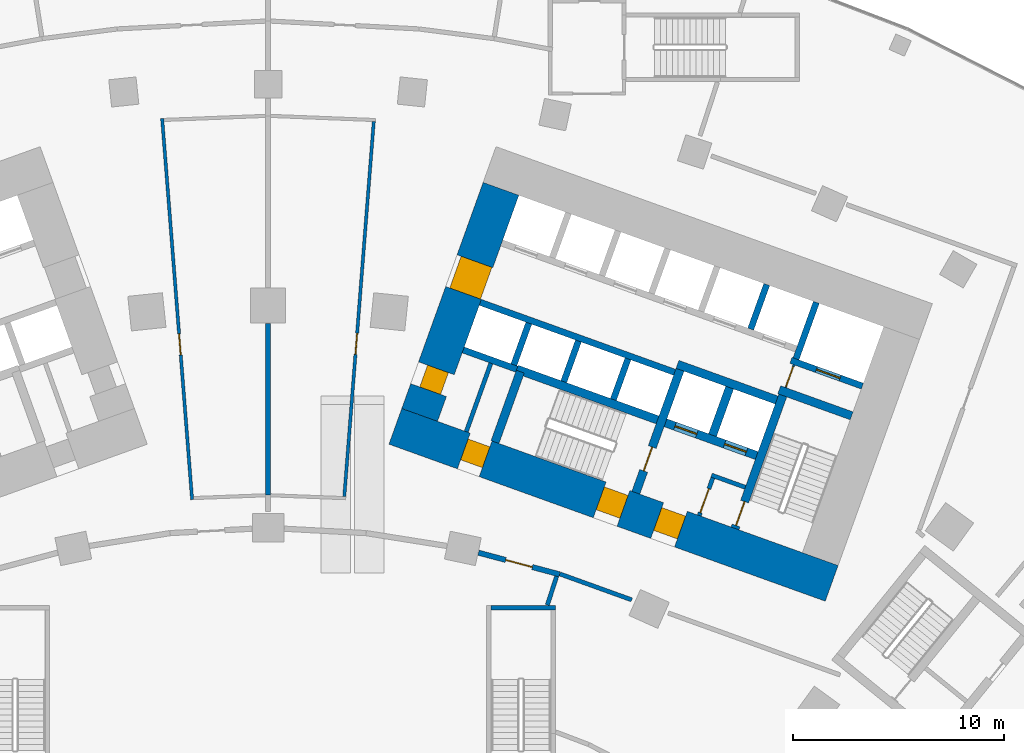
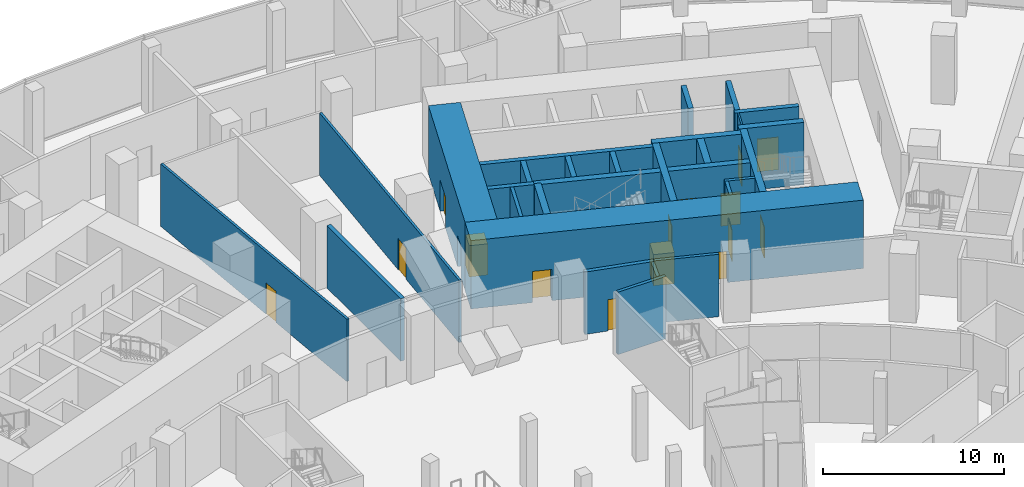
# One storey, part 27 of 40: 28 walls, 15 doors, 15 openings.
"""IFC4 building model written with IfcOpenShell, lengths in metres."""

from ifc_helpers import new_model, si_unit, direction, frame, frame_2d, origin, place, context, subcontext, project, spatial, rectangle, extrude, material, layer, layer_set, type_object, element, fill, save


model = new_model("IFC4")

# Units and contexts
model_context = context("Model", 3, precision=1e-05, world=origin(), true_north=direction((0.0, 1.0)))
body_context = subcontext(model_context, "Body", "Model", "MODEL_VIEW")
ifc_project = project(units=[si_unit("LENGTHUNIT", "METRE"), si_unit("AREAUNIT", "SQUARE_METRE"), si_unit("VOLUMEUNIT", "CUBIC_METRE"), si_unit("PLANEANGLEUNIT", "RADIAN"), si_unit("MASSUNIT", "GRAM", prefix="KILO")], contexts=[model_context])

# Site, building, storey
site_placement = place(None, origin())
site = spatial("IfcSite", under=ifc_project, at=site_placement, CompositionType="ELEMENT")
building_placement = place(site_placement, origin())
building = spatial("IfcBuilding", under=site, at=building_placement, Name="Stone Belt Terrace Tower", CompositionType="ELEMENT")
storey_placement = place(building_placement, frame((0.0, 0.0, 7.0)))
storey = spatial("IfcBuildingStorey", under=building, at=storey_placement, Name="L01", CompositionType="ELEMENT", Elevation=7.0)

# Wall
ifc_material_1 = material(Name="Concrete B30", Category="concrete")
ifc_layer_1 = layer(ifc_material_1, 0.25)
ifc_layer_set_1 = layer_set([ifc_layer_1], Name="Compartment wall 250")
wall_type_1 = type_object("IfcWallType", Name="Compartment wall 250", PredefinedType="SOLIDWALL", material=ifc_layer_set_1)
wall_1_placement = place(storey_placement, frame((0.0, 46.0, 0.0), z_axis=(0.0, 0.0, 1.0), x_axis=(0.0, 1.0, 0.0)))
element("IfcWall", 1, at=wall_1_placement, inside=storey, type_object=wall_type_1, Name="Compartment wall L01 8", PredefinedType="SOLIDWALL", context=body_context, shape_type="SweptSolid", body=[
    extrude(rectangle(XDim=8.155029296875, YDim=0.25, at=frame_2d((4.07763671875, 0.0))), origin(), (0.0, 0.0, 1.0), 4.199951171875),
])

# Wall, opening, door
ifc_material_2 = material(Name="Plasterboard partition")
ifc_layer_2 = layer(ifc_material_2, 0.10009765625)
ifc_layer_set_2 = layer_set([ifc_layer_2], Name="Core partition 100")
wall_type_2 = type_object("IfcWallType", Name="Core partition 100", PredefinedType="PARTITIONING", material=ifc_layer_set_2)
wall_2_placement = place(storey_placement, frame((24.555908203125, 51.10400390625, 0.0), z_axis=(0.0, 0.0, 1.0), x_axis=(0.338621735342, 0.94092258999, 0.0)))
wall_2 = element("IfcWall", 2, at=wall_2_placement, inside=storey, type_object=wall_type_2, Name="Core B wall", PredefinedType="PARTITIONING", context=body_context, shape_type="SweptSolid", body=[
    extrude(rectangle(XDim=1.14990234375, YDim=0.10009765625, at=frame_2d((0.574951171875, 0.0))), origin(), (0.0, 0.0, 1.0), 4.199951171875),
])
opening_1_placement = place(wall_2_placement, frame((0.050048828125, 0.0, 0.0)))
opening_1 = element("IfcOpeningElement", 3, at=opening_1_placement, cuts=wall_2, Name="Opening L01-C10", PredefinedType="OPENING", context=body_context, shape_type="SweptSolid", body=[
    extrude(rectangle(XDim=1.0, YDim=2.10009765625, at=frame_2d((0.5, 1.050048828125))), frame((0.0, 0.06005859375, 0.0), z_axis=(0.0, -1.0, 0.0), x_axis=(1.0, 0.0, 0.0)), (0.0, 0.0, 1.0), 0.1201171875),
])
ifc_material_3 = material(Name="Timber door leaf", Category="wood")
door_type_1 = type_object("IfcDoorType", Name="Core room door 1000", OperationType="SINGLE_SWING_LEFT", PredefinedType="DOOR", material=ifc_material_3)
door_1_placement = place(opening_1_placement, origin())
door_1 = element("IfcDoor", 4, at=door_1_placement, inside=storey, type_object=door_type_1, Name="Service lift lobby door core B", OperationType="SINGLE_SWING_LEFT", OverallHeight=2.10009765625, OverallWidth=1.0, PredefinedType="DOOR", context=body_context, shape_type="SweptSolid", body=[
    extrude(rectangle(XDim=1.0, YDim=2.10009765625, at=frame_2d((0.5, 1.050048828125))), frame((0.0, 0.02490234375, 0.0), z_axis=(0.0, -1.0, 0.0), x_axis=(1.0, 0.0, 0.0)), (0.0, 0.0, 1.0), 0.050048828125),
])
fill(opening_1, door_1)

# Wall, openings, doors
ifc_material_4 = material(Name="Concrete B80", Category="concrete")
ifc_layer_3 = layer(ifc_material_4, 1.800048828125)
ifc_layer_set_3 = layer_set([ifc_layer_3], Name="Core wall 1800 B80")
wall_type_3 = type_object("IfcWallType", Name="Core wall 1800 B80", PredefinedType="SHEAR", material=ifc_layer_set_3)
wall_3_placement = place(storey_placement, frame((6.039306640625, 49.265380859375, 0.0), z_axis=(0.0, 0.0, 1.0), x_axis=(0.940921642213, -0.338624368902, 0.0)))
wall_3 = element("IfcWall", 5, at=wall_3_placement, inside=storey, type_object=wall_type_3, Name="Core B wall concave L01", PredefinedType="SHEAR", context=body_context, shape_type="SweptSolid", body=[
    extrude(rectangle(XDim=22.0, YDim=1.800048828125, at=frame_2d((11.0, 0.0))), origin(), (0.0, 0.0, 1.0), 4.60009765625),
])
opening_2_placement = place(wall_3_placement, frame((13.199951171875, 0.0, 0.0)))
opening_2 = element("IfcOpeningElement", 6, at=opening_2_placement, cuts=wall_3, Name="Opening L01-C14", PredefinedType="OPENING", context=body_context, shape_type="SweptSolid", body=[
    extrude(rectangle(XDim=1.199951171875, YDim=2.10009765625, at=frame_2d((0.60009765625, 1.050048828125))), frame((0.0, 0.909912109375, 0.0), z_axis=(0.0, -1.0, 0.0), x_axis=(1.0, 0.0, 0.0)), (0.0, 0.0, 1.0), 1.820068359375),
])
opening_3_placement = place(wall_3_placement, frame((10.300048828125, 0.0, 0.0)))
opening_3 = element("IfcOpeningElement", 7, at=opening_3_placement, cuts=wall_3, Name="Opening L01-C16", PredefinedType="OPENING", context=body_context, shape_type="SweptSolid", body=[
    extrude(rectangle(XDim=1.199951171875, YDim=2.10009765625, at=frame_2d((0.60009765625, 1.050048828125))), frame((0.0, 0.909912109375, 0.0), z_axis=(0.0, -1.0, 0.0), x_axis=(1.0, 0.0, 0.0)), (0.0, 0.0, 1.0), 1.820068359375),
])
opening_4_placement = place(wall_3_placement, frame((3.449951171875, 0.0, 0.0)))
opening_4 = element("IfcOpeningElement", 8, at=opening_4_placement, cuts=wall_3, Name="Opening L01-C18", PredefinedType="OPENING", context=body_context, shape_type="SweptSolid", body=[
    extrude(rectangle(XDim=1.10009765625, YDim=2.10009765625, at=frame_2d((0.550048828125, 1.050048828125))), frame((0.0, 0.909912109375, 0.0), z_axis=(0.0, -1.0, 0.0), x_axis=(1.0, 0.0, 0.0)), (0.0, 0.0, 1.0), 1.820068359375),
])
door_type_2 = type_object("IfcDoorType", Name="Core room door 1100", OperationType="SINGLE_SWING_LEFT", PredefinedType="DOOR", material=ifc_material_3)
door_2_placement = place(opening_4_placement, origin())
door_2 = element("IfcDoor", 9, at=door_2_placement, inside=storey, type_object=door_type_2, Name="Door to Communications riser room core B", OperationType="SINGLE_SWING_LEFT", OverallHeight=2.10009765625, OverallWidth=1.10009765625, PredefinedType="DOOR", context=body_context, shape_type="SweptSolid", body=[
    extrude(rectangle(XDim=1.10009765625, YDim=2.10009765625, at=frame_2d((0.550048828125, 1.050048828125))), frame((0.0, 0.60498046875, 0.0), z_axis=(0.0, -1.0, 0.0), x_axis=(1.0, 0.0, 0.0)), (0.0, 0.0, 1.0), 1.050048828125),
])
fill(opening_4, door_2)
ifc_material_5 = material(Name="Steel door leaf", Category="steel")
door_type_3 = type_object("IfcDoorType", Name="Fire-fighting lobby door 1200", OperationType="SINGLE_SWING_LEFT", PredefinedType="DOOR", material=ifc_material_5)
door_3_placement = place(opening_2_placement, origin())
door_3 = element("IfcDoor", 10, at=door_3_placement, inside=storey, type_object=door_type_3, Name="Fire-fighting lobby door core B", OperationType="SINGLE_SWING_LEFT", OverallHeight=2.10009765625, OverallWidth=1.199951171875, PredefinedType="DOOR", context=body_context, shape_type="SweptSolid", body=[
    extrude(rectangle(XDim=1.199951171875, YDim=2.10009765625, at=frame_2d((0.60009765625, 1.050048828125))), frame((0.0, 0.655029296875, 0.0), z_axis=(0.0, -1.0, 0.0), x_axis=(1.0, 0.0, 0.0)), (0.0, 0.0, 1.0), 1.14990234375),
])
fill(opening_2, door_3)
door_type_4 = type_object("IfcDoorType", Name="Stair door 1200", OperationType="SINGLE_SWING_LEFT", PredefinedType="DOOR", material=ifc_material_5)
door_4_placement = place(opening_3_placement, origin())
door_4 = element("IfcDoor", 11, at=door_4_placement, inside=storey, type_object=door_type_4, Name="Stair 2 exit door core B", OperationType="SINGLE_SWING_RIGHT", OverallHeight=2.10009765625, OverallWidth=1.199951171875, PredefinedType="DOOR", context=body_context, shape_type="SweptSolid", body=[
    extrude(rectangle(XDim=1.199951171875, YDim=2.10009765625, at=frame_2d((0.60009765625, 1.050048828125))), frame((0.0, 0.655029296875, 0.0), z_axis=(0.0, -1.0, 0.0), x_axis=(1.0, 0.0, 0.0)), (0.0, 0.0, 1.0), 1.14990234375),
])
fill(opening_3, door_4)

wall_4_placement = place(storey_placement, frame((7.19091796875, 49.8076171875, 0.0), z_axis=(0.0, 0.0, 1.0), x_axis=(0.338632255135, 0.940918804033, 0.0)))
wall_4 = element("IfcWall", 12, at=wall_4_placement, inside=storey, type_object=wall_type_3, Name="Core B wall end_a L01", PredefinedType="SHEAR", context=body_context, shape_type="SweptSolid", body=[
    extrude(rectangle(XDim=11.39990234375, YDim=1.800048828125, at=frame_2d((5.699951171875, 0.0))), origin(), (0.0, 0.0, 1.0), 4.60009765625),
])
opening_5_placement = place(wall_4_placement, frame((6.14990234375, 0.0, 0.0)))
opening_5 = element("IfcOpeningElement", 13, at=opening_5_placement, cuts=wall_4, Name="Opening L01-C11", PredefinedType="OPENING", context=body_context, shape_type="SweptSolid", body=[
    extrude(rectangle(XDim=1.60009765625, YDim=2.10009765625, at=frame_2d((0.800048828125, 1.050048828125))), frame((0.0, 0.909912109375, 0.0), z_axis=(0.0, -1.0, 0.0), x_axis=(1.0, 0.0, 0.0)), (0.0, 0.0, 1.0), 1.820068359375),
])
opening_6_placement = place(wall_4_placement, frame((1.25, 0.0, 0.0)))
opening_6 = element("IfcOpeningElement", 14, at=opening_6_placement, cuts=wall_4, Name="Opening L01-C17", PredefinedType="OPENING", context=body_context, shape_type="SweptSolid", body=[
    extrude(rectangle(XDim=1.10009765625, YDim=2.10009765625, at=frame_2d((0.550048828125, 1.050048828125))), frame((0.0, 0.909912109375, 0.0), z_axis=(0.0, -1.0, 0.0), x_axis=(1.0, 0.0, 0.0)), (0.0, 0.0, 1.0), 1.820068359375),
])
door_5_placement = place(opening_6_placement, origin())
door_5 = element("IfcDoor", 15, at=door_5_placement, inside=storey, type_object=door_type_2, Name="Door to Cleaner's store core B", OperationType="SINGLE_SWING_RIGHT", OverallHeight=2.10009765625, OverallWidth=1.10009765625, PredefinedType="DOOR", context=body_context, shape_type="SweptSolid", body=[
    extrude(rectangle(XDim=1.10009765625, YDim=2.10009765625, at=frame_2d((0.550048828125, 1.050048828125))), frame((0.0, 0.44482421875, 0.0), z_axis=(0.0, -1.0, 0.0), x_axis=(1.0, 0.0, 0.0)), (0.0, 0.0, 1.0), 1.050048828125),
])
fill(opening_6, door_5)
ifc_material_6 = material(Name="Glazed aluminium door leaf", Category="aluminium")
door_type_5 = type_object("IfcDoorType", Name="Lift lobby entrance door 1600", OperationType="DOUBLE_DOOR_SINGLE_SWING", PredefinedType="DOOR", material=ifc_material_6)
door_6_placement = place(opening_5_placement, origin())
door_6 = element("IfcDoor", 16, at=door_6_placement, inside=storey, type_object=door_type_5, Name="Lift lobby entrance door core B", OperationType="DOUBLE_DOOR_SINGLE_SWING", OverallHeight=2.10009765625, OverallWidth=1.60009765625, PredefinedType="DOOR", context=body_context, shape_type="SweptSolid", body=[
    extrude(rectangle(XDim=1.60009765625, YDim=2.10009765625, at=frame_2d((0.800048828125, 1.050048828125))), frame((0.0, 0.69482421875, 0.0), z_axis=(0.0, -1.0, 0.0), x_axis=(1.0, 0.0, 0.0)), (0.0, 0.0, 1.0), 1.550048828125),
])
fill(opening_5, door_6)

# Walls
ifc_layer_4 = layer(ifc_material_4, 0.39990234375)
ifc_layer_set_4 = layer_set([ifc_layer_4], Name="Fire-fighting lift shaft wall 400")
wall_type_4 = type_object("IfcWallType", Name="Fire-fighting lift shaft wall 400", PredefinedType="SHEAR", material=ifc_layer_set_4)
wall_5_placement = place(storey_placement, frame((24.130615234375, 50.512939453125, 0.0), z_axis=(0.0, 0.0, 1.0), x_axis=(-0.94091168377, 0.338652038744, 0.0)))
element("IfcWall", 17, at=wall_5_placement, inside=storey, type_object=wall_type_4, Name="Core B wall", PredefinedType="SHEAR", context=body_context, shape_type="SweptSolid", body=[
    extrude(rectangle(XDim=5.000244140625, YDim=0.39990234375, at=frame_2d((2.5, 0.0))), origin(), (0.0, 0.0, 1.0), 4.199951171875),
])
wall_6_placement = place(storey_placement, frame((21.0859375, 48.845458984375, 0.0), z_axis=(0.0, 0.0, 1.0), x_axis=(0.338629416206, 0.940919825745, 0.0)))
element("IfcWall", 18, at=wall_6_placement, inside=storey, type_object=wall_type_4, Name="Core B wall", PredefinedType="SHEAR", context=body_context, shape_type="SweptSolid", body=[
    extrude(rectangle(XDim=2.400146484375, YDim=0.39990234375, at=frame_2d((1.2001953125, 0.0))), origin(), (0.0, 0.0, 1.0), 4.199951171875),
])

# Wall, opening, door
ifc_material_7 = material(Name="Fire-resistant glazing in steel frame", Category="steel")
ifc_layer_5 = layer(ifc_material_7, 0.25)
ifc_layer_set_5 = layer_set([ifc_layer_5], Name="Glazed compartment fire screen 250")
wall_type_5 = type_object("IfcWallType", Name="Glazed compartment fire screen 250", PredefinedType="PARTITIONING", material=ifc_layer_set_5)
wall_7_placement = place(storey_placement, frame((9.9833984375, 43.271240234375, 0.0), z_axis=(0.0, 0.0, 1.0), x_axis=(0.966095249912, -0.258185917697, 0.0)))
wall_7 = element("IfcWall", 19, at=wall_7_placement, inside=storey, type_object=wall_type_5, Name="Compartment fire screen L01 12", PredefinedType="PARTITIONING", context=body_context, shape_type="SweptSolid", body=[
    extrude(rectangle(XDim=3.97802734375, YDim=0.25, at=frame_2d((1.989013671875, 0.0))), origin(), (0.0, 0.0, 1.0), 4.199951171875),
])
opening_7_placement = place(wall_7_placement, frame((1.339111328125, 0.0, 0.0)))
opening_7 = element("IfcOpeningElement", 20, at=opening_7_placement, cuts=wall_7, Name="Opening L01-P35", PredefinedType="OPENING", context=body_context, shape_type="SweptSolid", body=[
    extrude(rectangle(XDim=1.300048828125, YDim=2.10009765625, at=frame_2d((0.64990234375, 1.050048828125))), frame((0.0, 0.135009765625, 0.0), z_axis=(0.0, -1.0, 0.0), x_axis=(1.0, 0.0, 0.0)), (0.0, 0.0, 1.0), 0.27001953125),
])
ifc_material_8 = material(Name="Steel framed fire door leaf", Category="steel")
door_type_6 = type_object("IfcDoorType", Name="Fire door 1300 x 2100 EI 60", OperationType="SINGLE_SWING_LEFT", PredefinedType="DOOR", material=ifc_material_8)
door_7_placement = place(opening_7_placement, origin())
door_7 = element("IfcDoor", 21, at=door_7_placement, inside=storey, type_object=door_type_6, Name="Fire door 1300 x 2100 EI 60", OperationType="SINGLE_SWING_LEFT", OverallHeight=2.10009765625, OverallWidth=1.300048828125, PredefinedType="DOOR", context=body_context, shape_type="SweptSolid", body=[
    extrude(rectangle(XDim=1.300048828125, YDim=2.10009765625, at=frame_2d((0.64990234375, 1.050048828125))), frame((0.0, 0.02490234375, 0.0), z_axis=(0.0, -1.0, 0.0), x_axis=(1.0, 0.0, 0.0)), (0.0, 0.0, 1.0), 0.050048828125),
])
fill(opening_7, door_7)

ifc_layer_6 = layer(ifc_material_4, 0.300048828125)
ifc_layer_set_6 = layer_set([ifc_layer_6], Name="Lift shaft wall 300")
wall_type_6 = type_object("IfcWallType", Name="Lift shaft wall 300", PredefinedType="SHEAR", material=ifc_layer_set_6)
wall_8_placement = place(storey_placement, frame((28.195068359375, 51.17578125, 0.0), z_axis=(0.0, 0.0, 1.0), x_axis=(-0.940901243567, 0.338681044427, 0.0)))
wall_8 = element("IfcWall", 22, at=wall_8_placement, inside=storey, type_object=wall_type_6, Name="Core B wall", PredefinedType="SHEAR", context=body_context, shape_type="SweptSolid", body=[
    extrude(rectangle(XDim=3.599853515625, YDim=0.300048828125, at=frame_2d((1.7998046875, 0.0))), origin(), (0.0, 0.0, 1.0), 4.199951171875),
])
opening_8_placement = place(wall_8_placement, frame((1.1201171875, 0.0, 0.0)))
opening_8 = element("IfcOpeningElement", 23, at=opening_8_placement, cuts=wall_8, Name="Opening L01-LD18", PredefinedType="OPENING", context=body_context, shape_type="SweptSolid", body=[
    extrude(rectangle(XDim=1.199951171875, YDim=2.199951171875, at=frame_2d((0.60009765625, 1.10009765625))), frame((0.0, 0.159912109375, 0.0), z_axis=(0.0, -1.0, 0.0), x_axis=(1.0, 0.0, 0.0)), (0.0, 0.0, 1.0), 0.320068359375),
])
ifc_material_9 = material(Name="Stainless steel door leaf", Category="steel")
door_type_7 = type_object("IfcDoorType", Name="Landing door 1200", OperationType="SLIDING_TO_LEFT", PredefinedType="DOOR", material=ifc_material_9)
door_8_placement = place(opening_8_placement, origin())
door_8 = element("IfcDoor", 24, at=door_8_placement, inside=storey, type_object=door_type_7, Name="Landing door SV1 core B", OperationType="SLIDING_TO_LEFT", OverallHeight=2.199951171875, OverallWidth=1.199951171875, PredefinedType="DOOR", context=body_context, shape_type="SweptSolid", body=[
    extrude(rectangle(XDim=1.199951171875, YDim=2.199951171875, at=frame_2d((0.60009765625, 1.10009765625))), frame((0.0, 0.02490234375, 0.0), z_axis=(0.0, -1.0, 0.0), x_axis=(1.0, 0.0, 0.0)), (0.0, 0.0, 1.0), 0.050048828125),
])
fill(opening_8, door_8)

# Walls
wall_9_placement = place(storey_placement, frame((25.046875, 52.46826171875, 0.0), z_axis=(0.0, 0.0, 1.0), x_axis=(0.338549588058, 0.940948551423, 0.0)))
element("IfcWall", 25, at=wall_9_placement, inside=storey, type_object=wall_type_6, Name="Core B wall", PredefinedType="SHEAR", context=body_context, shape_type="SweptSolid", body=[
    extrude(rectangle(XDim=2.849853515625, YDim=0.300048828125, at=frame_2d((1.4248046875, 0.0))), origin(), (0.0, 0.0, 1.0), 4.199951171875),
])
wall_10_placement = place(storey_placement, frame((22.897705078125, 53.87939453125, 0.0), z_axis=(0.0, 0.0, 1.0), x_axis=(0.338535034312, 0.940953787677, 0.0)))
element("IfcWall", 26, at=wall_10_placement, inside=storey, type_object=wall_type_6, Name="Core B wall", PredefinedType="SHEAR", context=body_context, shape_type="SweptSolid", body=[
    extrude(rectangle(XDim=2.25, YDim=0.300048828125, at=frame_2d((1.125, 0.0))), origin(), (0.0, 0.0, 1.0), 4.199951171875),
])
wall_11_placement = place(storey_placement, frame((19.29052734375, 51.829833984375, 0.0), z_axis=(0.0, 0.0, 1.0), x_axis=(-0.940925833398, 0.338612722803, 0.0)))
element("IfcWall", 27, at=wall_11_placement, inside=storey, type_object=wall_type_6, Name="Core B wall", PredefinedType="SHEAR", context=body_context, shape_type="SweptSolid", body=[
    extrude(rectangle(XDim=9.7998046875, YDim=0.300048828125, at=frame_2d((4.89990234375, 0.0))), origin(), (0.0, 0.0, 1.0), 4.199951171875),
])
for number, where, z_axis, x_axis, name in (
    (28, (16.38134765625, 50.53857421875, 0.0), (0.0, 0.0, 1.0), (0.338681515556, 0.940901073982, 0.0), "Core B wall"),
    (29, (14.029052734375, 51.38525390625, 0.0), (0.0, 0.0, 1.0), (0.338681515556, 0.940901073982, 0.0), "Core B wall"),
):
    element("IfcWall", number, at=place(storey_placement, frame(where, z_axis=z_axis, x_axis=x_axis)), inside=storey, type_object=wall_type_6, Name=name, PredefinedType="SHEAR", context=body_context, shape_type="SweptSolid", body=[
        extrude(rectangle(XDim=2.050048828125, YDim=0.300048828125, at=frame_2d((1.02490234375, 0.0))), origin(), (0.0, 0.0, 1.0), 4.199951171875),
    ])
wall_12_placement = place(storey_placement, frame((11.797119140625, 51.975830078125, 0.0), z_axis=(0.0, 0.0, 1.0), x_axis=(-0.940910465161, 0.33865542451, 0.0)))
element("IfcWall", 30, at=wall_12_placement, inside=storey, type_object=wall_type_6, Name="Core B wall", PredefinedType="SHEAR", context=body_context, shape_type="SweptSolid", body=[
    extrude(rectangle(XDim=2.69970703125, YDim=0.300048828125, at=frame_2d((1.349853515625, 0.0))), origin(), (0.0, 0.0, 1.0), 4.199951171875),
])
wall_13_placement = place(storey_placement, frame((11.659912109375, 52.184814453125, 0.0), z_axis=(0.0, 0.0, 1.0), x_axis=(0.338670064856, 0.940905195634, 0.0)))
element("IfcWall", 31, at=wall_13_placement, inside=storey, type_object=wall_type_6, Name="Core B wall", PredefinedType="SHEAR", context=body_context, shape_type="SweptSolid", body=[
    extrude(rectangle(XDim=2.099853515625, YDim=0.300048828125, at=frame_2d((1.0498046875, 0.0))), origin(), (0.0, 0.0, 1.0), 4.199951171875),
])
ifc_material_10 = material(Name="Blockwork wall, plastered both faces", Category="masonry")
ifc_layer_7 = layer(ifc_material_10, 0.199951171875)
ifc_layer_set_7 = layer_set([ifc_layer_7], Name="Podium demising wall 200")
wall_type_7 = type_object("IfcWallType", Name="Podium demising wall 200", PredefinedType="PARTITIONING", material=ifc_layer_set_7)
wall_14_placement = place(storey_placement, frame((13.252197265625, 40.79052734375, 0.0), z_axis=(0.0, 0.0, 1.0), x_axis=(0.307247281282, 0.951629711676, 0.0)))
element("IfcWall", 32, at=wall_14_placement, inside=storey, type_object=wall_type_7, Name="Podium demising wall 200", PredefinedType="PARTITIONING", context=body_context, shape_type="SweptSolid", body=[
    extrude(rectangle(XDim=1.429443359375, YDim=0.199951171875, at=frame_2d((0.71484375, 0.0))), origin(), (0.0, 0.0, 1.0), 4.199951171875),
])
wall_15_placement = place(storey_placement, frame((13.841552734375, 42.263427734375, 0.0), z_axis=(0.0, 0.0, 1.0), x_axis=(0.940758621133, -0.33907700713, 0.0)))
element("IfcWall", 33, at=wall_15_placement, inside=storey, type_object=wall_type_7, Name="Podium demising wall 200", PredefinedType="PARTITIONING", context=body_context, shape_type="SweptSolid", body=[
    extrude(rectangle(XDim=3.626708984375, YDim=0.199951171875, at=frame_2d((1.8134765625, 0.0))), origin(), (0.0, 0.0, 1.0), 4.199951171875),
])

# Wall, opening, door
ifc_material_11 = material(Name="Gypsum board on steel stud partition", Category="steel")
ifc_layer_8 = layer(ifc_material_11, 0.14990234375)
ifc_layer_set_8 = layer_set([ifc_layer_8], Name="Podium partition 150")
wall_type_8 = type_object("IfcWallType", Name="Podium partition 150", PredefinedType="PARTITIONING", material=ifc_layer_set_8)
wall_16_placement = place(storey_placement, frame((-5.02587890625, 63.874755859375, 0.0), z_axis=(0.0, 0.0, 1.0), x_axis=(0.078360103875, -0.996925119616, 0.0)))
wall_16 = element("IfcWall", 34, at=wall_16_placement, inside=storey, type_object=wall_type_8, Name="Podium partition 150", PredefinedType="PARTITIONING", context=body_context, shape_type="SweptSolid", body=[
    extrude(rectangle(XDim=18.1455078125, YDim=0.14990234375, at=frame_2d((9.07275390625, 0.0))), origin(), (0.0, 0.0, 1.0), 4.199951171875),
])
opening_9_placement = place(wall_16_placement, frame((10.25732421875, 0.0, 0.0)))
opening_9 = element("IfcOpeningElement", 35, at=opening_9_placement, cuts=wall_16, Name="Opening L01-P15", PredefinedType="OPENING", context=body_context, shape_type="SweptSolid", body=[
    extrude(rectangle(XDim=1.0, YDim=2.10009765625, at=frame_2d((0.5, 1.050048828125))), frame((0.0, 0.0849609375, 0.0), z_axis=(0.0, -1.0, 0.0), x_axis=(1.0, 0.0, 0.0)), (0.0, 0.0, 1.0), 0.169921875),
])
ifc_material_12 = material(Name="Steel framed door leaf", Category="steel")
door_type_8 = type_object("IfcDoorType", Name="Podium door single 1000", OperationType="SINGLE_SWING_LEFT", PredefinedType="DOOR", material=ifc_material_12)
door_9_placement = place(opening_9_placement, origin())
door_9 = element("IfcDoor", 36, at=door_9_placement, inside=storey, type_object=door_type_8, Name="Podium door single 1000", OperationType="SINGLE_SWING_LEFT", OverallHeight=2.10009765625, OverallWidth=1.0, PredefinedType="DOOR", context=body_context, shape_type="SweptSolid", body=[
    extrude(rectangle(XDim=1.0, YDim=2.10009765625, at=frame_2d((0.5, 1.050048828125))), frame((0.0, 0.02490234375, 0.0), z_axis=(0.0, -1.0, 0.0), x_axis=(1.0, 0.0, 0.0)), (0.0, 0.0, 1.0), 0.050048828125),
])
fill(opening_9, door_9)

wall_17_placement = place(storey_placement, frame((3.615966796875, 45.934814453125, 0.0), z_axis=(0.0, 0.0, 1.0), x_axis=(0.078351480624, 0.996925797381, 0.0)))
wall_17 = element("IfcWall", 37, at=wall_17_placement, inside=storey, type_object=wall_type_8, Name="Podium partition 150", PredefinedType="PARTITIONING", context=body_context, shape_type="SweptSolid", body=[
    extrude(rectangle(XDim=17.84521484375, YDim=0.14990234375, at=frame_2d((8.922607421875, 0.0))), origin(), (0.0, 0.0, 1.0), 4.199951171875),
])
opening_10_placement = place(wall_17_placement, frame((6.76806640625, 0.0, 0.0)))
opening_10 = element("IfcOpeningElement", 38, at=opening_10_placement, cuts=wall_17, Name="Opening L01-P16", PredefinedType="OPENING", context=body_context, shape_type="SweptSolid", body=[
    extrude(rectangle(XDim=1.0, YDim=2.10009765625, at=frame_2d((0.5, 1.050048828125))), frame((0.0, 0.0849609375, 0.0), z_axis=(0.0, -1.0, 0.0), x_axis=(1.0, 0.0, 0.0)), (0.0, 0.0, 1.0), 0.169921875),
])
door_10_placement = place(opening_10_placement, origin())
door_10 = element("IfcDoor", 39, at=door_10_placement, inside=storey, type_object=door_type_8, Name="Podium door single 1000", OperationType="SINGLE_SWING_RIGHT", OverallHeight=2.10009765625, OverallWidth=1.0, PredefinedType="DOOR", context=body_context, shape_type="SweptSolid", body=[
    extrude(rectangle(XDim=1.0, YDim=2.10009765625, at=frame_2d((0.5, 1.050048828125))), frame((0.0, 0.02490234375, 0.0), z_axis=(0.0, -1.0, 0.0), x_axis=(1.0, 0.0, 0.0)), (0.0, 0.0, 1.0), 0.050048828125),
])
fill(opening_10, door_10)

# Walls
ifc_layer_9 = layer(ifc_material_1, 0.199951171875)
ifc_layer_set_9 = layer_set([ifc_layer_9], Name="Podium stair and shaft wall 200")
wall_type_9 = type_object("IfcWallType", Name="Podium stair and shaft wall 200", PredefinedType="SOLIDWALL", material=ifc_layer_set_9)
wall_18_placement = place(storey_placement, frame((10.570068359375, 40.659912109375, 0.0), z_axis=(0.0, 0.0, 1.0), x_axis=(1.0, 0.0, 0.0)))
element("IfcWall", 40, at=wall_18_placement, inside=storey, type_object=wall_type_9, Name="Podium stair and shaft wall 200", PredefinedType="SOLIDWALL", context=body_context, shape_type="SweptSolid", body=[
    extrude(rectangle(XDim=3.059814453125, YDim=0.199951171875, at=frame_2d((1.52978515625, 0.0))), origin(), (0.0, 0.0, 1.0), 4.199951171875),
])
ifc_material_13 = material(Name="Concrete masonry block", Category="masonry")
ifc_layer_10 = layer(ifc_material_13, 0.199951171875)
ifc_layer_set_10 = layer_set([ifc_layer_10], Name="Rated lobby wall 200")
wall_type_10 = type_object("IfcWallType", Name="Rated lobby wall 200", PredefinedType="PARTITIONING", material=ifc_layer_set_10)
wall_19_placement = place(storey_placement, frame((22.640625, 46.373046875, 0.0), z_axis=(0.0, 0.0, 1.0), x_axis=(-0.940966110313, 0.338500781747, 0.0)))
element("IfcWall", 41, at=wall_19_placement, inside=storey, type_object=wall_type_10, Name="Core B wall", PredefinedType="PARTITIONING", context=body_context, shape_type="SweptSolid", body=[
    extrude(rectangle(XDim=1.699951171875, YDim=0.199951171875, at=frame_2d((0.85009765625, 0.0))), origin(), (0.0, 0.0, 1.0), 4.199951171875),
])

# Wall, opening, door
wall_20_placement = place(storey_placement, frame((20.4580078125, 45.032958984375, 0.0), z_axis=(0.0, 0.0, 1.0), x_axis=(0.338573865316, 0.940939816208, 0.0)))
wall_20 = element("IfcWall", 42, at=wall_20_placement, inside=storey, type_object=wall_type_10, Name="Core B wall", PredefinedType="PARTITIONING", context=body_context, shape_type="SweptSolid", body=[
    extrude(rectangle(XDim=1.900146484375, YDim=0.199951171875, at=frame_2d((0.9501953125, 0.0))), origin(), (0.0, 0.0, 1.0), 4.199951171875),
])
opening_11_placement = place(wall_20_placement, frame((0.14990234375, 0.0, 0.0)))
opening_11 = element("IfcOpeningElement", 43, at=opening_11_placement, cuts=wall_20, Name="Opening L01-C13", PredefinedType="OPENING", context=body_context, shape_type="SweptSolid", body=[
    extrude(rectangle(XDim=1.199951171875, YDim=2.10009765625, at=frame_2d((0.60009765625, 1.050048828125))), frame((0.0, 0.10986328125, 0.0), z_axis=(0.0, -1.0, 0.0), x_axis=(1.0, 0.0, 0.0)), (0.0, 0.0, 1.0), 0.219970703125),
])
door_11_placement = place(opening_11_placement, origin())
door_11 = element("IfcDoor", 44, at=door_11_placement, inside=storey, type_object=door_type_4, Name="Stair airlock door core B", OperationType="SINGLE_SWING_LEFT", OverallHeight=2.10009765625, OverallWidth=1.199951171875, PredefinedType="DOOR", context=body_context, shape_type="SweptSolid", body=[
    extrude(rectangle(XDim=1.199951171875, YDim=2.10009765625, at=frame_2d((0.60009765625, 1.050048828125))), frame((0.0, 0.02490234375, 0.0), z_axis=(0.0, -1.0, 0.0), x_axis=(1.0, 0.0, 0.0)), (0.0, 0.0, 1.0), 0.050048828125),
])
fill(opening_11, door_11)

# Walls
wall_21_placement = place(storey_placement, frame((9.402099609375, 49.01171875, 0.0), z_axis=(0.0, 0.0, 1.0), x_axis=(0.338599189079, 0.940930703695, 0.0)))
element("IfcWall", 45, at=wall_21_placement, inside=storey, type_object=wall_type_10, Name="Core B wall", PredefinedType="PARTITIONING", context=body_context, shape_type="SweptSolid", body=[
    extrude(rectangle(XDim=3.4501953125, YDim=0.199951171875, at=frame_2d((1.72509765625, 0.0))), origin(), (0.0, 0.0, 1.0), 4.199951171875),
])
ifc_layer_11 = layer(ifc_material_4, 0.39990234375)
ifc_layer_set_11 = layer_set([ifc_layer_11], Name="Stair enclosure wall 400")
wall_type_11 = type_object("IfcWallType", Name="Stair enclosure wall 400", PredefinedType="SHEAR", material=ifc_layer_set_11)
wall_22_placement = place(storey_placement, frame((27.687255859375, 49.764404296875, 0.0), z_axis=(0.0, 0.0, 1.0), x_axis=(-0.940918954884, 0.338631835981, 0.0)))
element("IfcWall", 46, at=wall_22_placement, inside=storey, type_object=wall_type_11, Name="Core B wall", PredefinedType="SHEAR", context=body_context, shape_type="SweptSolid", body=[
    extrude(rectangle(XDim=3.650146484375, YDim=0.39990234375, at=frame_2d((1.8251953125, 0.0))), origin(), (0.0, 0.0, 1.0), 4.199951171875),
])

# Wall, opening, door
wall_23_placement = place(storey_placement, frame((22.151611328125, 44.42333984375, 0.0), z_axis=(0.0, 0.0, 1.0), x_axis=(0.338625272931, 0.940921316866, 0.0)))
wall_23 = element("IfcWall", 47, at=wall_23_placement, inside=storey, type_object=wall_type_11, Name="Core B wall", PredefinedType="SHEAR", context=body_context, shape_type="SweptSolid", body=[
    extrude(rectangle(XDim=6.699951171875, YDim=0.39990234375, at=frame_2d((3.35009765625, 0.0))), origin(), (0.0, 0.0, 1.0), 4.199951171875),
])
opening_12_placement = place(wall_23_placement, frame((0.14990234375, 0.0, 0.0)))
opening_12 = element("IfcOpeningElement", 48, at=opening_12_placement, cuts=wall_23, Name="Opening L01-C12", PredefinedType="OPENING", context=body_context, shape_type="SweptSolid", body=[
    extrude(rectangle(XDim=1.199951171875, YDim=2.10009765625, at=frame_2d((0.60009765625, 1.050048828125))), frame((0.0, 0.2099609375, 0.0), z_axis=(0.0, -1.0, 0.0), x_axis=(1.0, 0.0, 0.0)), (0.0, 0.0, 1.0), 0.419921875),
])
door_12_placement = place(opening_12_placement, origin())
door_12 = element("IfcDoor", 49, at=door_12_placement, inside=storey, type_object=door_type_4, Name="Stair 1 door core B", OperationType="SINGLE_SWING_LEFT", OverallHeight=2.10009765625, OverallWidth=1.199951171875, PredefinedType="DOOR", context=body_context, shape_type="SweptSolid", body=[
    extrude(rectangle(XDim=1.199951171875, YDim=2.10009765625, at=frame_2d((0.60009765625, 1.050048828125))), frame((0.0, 0.02490234375, 0.0), z_axis=(0.0, -1.0, 0.0), x_axis=(1.0, 0.0, 0.0)), (0.0, 0.0, 1.0), 0.050048828125),
])
fill(opening_12, door_12)

# Wall, openings, doors
wall_24_placement = place(storey_placement, frame((23.182373046875, 47.87841796875, 0.0), z_axis=(0.0, 0.0, 1.0), x_axis=(-0.940921101762, 0.338625870628, 0.0)))
wall_24 = element("IfcWall", 50, at=wall_24_placement, inside=storey, type_object=wall_type_11, Name="Core B wall", PredefinedType="SHEAR", context=body_context, shape_type="SweptSolid", body=[
    extrude(rectangle(XDim=12.10009765625, YDim=0.39990234375, at=frame_2d((6.050048828125, 0.0))), origin(), (0.0, 0.0, 1.0), 4.199951171875),
])
opening_13_placement = place(wall_24_placement, frame((0.52001953125, 0.0, 0.0)))
opening_13 = element("IfcOpeningElement", 51, at=opening_13_placement, cuts=wall_24, Name="Opening L01-LD16", PredefinedType="OPENING", context=body_context, shape_type="SweptSolid", body=[
    extrude(rectangle(XDim=1.10009765625, YDim=2.199951171875, at=frame_2d((0.550048828125, 1.10009765625))), frame((0.0, 0.2099609375, 0.0), z_axis=(0.0, -1.0, 0.0), x_axis=(1.0, 0.0, 0.0)), (0.0, 0.0, 1.0), 0.419921875),
])
opening_14_placement = place(wall_24_placement, frame((3.02001953125, 0.0, 0.0)))
opening_14 = element("IfcOpeningElement", 52, at=opening_14_placement, cuts=wall_24, Name="Opening L01-LD17", PredefinedType="OPENING", context=body_context, shape_type="SweptSolid", body=[
    extrude(rectangle(XDim=1.10009765625, YDim=2.199951171875, at=frame_2d((0.550048828125, 1.10009765625))), frame((0.0, 0.2099609375, 0.0), z_axis=(0.0, -1.0, 0.0), x_axis=(1.0, 0.0, 0.0)), (0.0, 0.0, 1.0), 0.419921875),
])
door_type_9 = type_object("IfcDoorType", Name="Landing door 1100", OperationType="SLIDING_TO_LEFT", PredefinedType="DOOR", material=ifc_material_9)
door_13_placement = place(opening_13_placement, origin())
door_13 = element("IfcDoor", 53, at=door_13_placement, inside=storey, type_object=door_type_9, Name="Landing door FF1 core B", OperationType="SLIDING_TO_LEFT", OverallHeight=2.199951171875, OverallWidth=1.10009765625, PredefinedType="DOOR", context=body_context, shape_type="SweptSolid", body=[
    extrude(rectangle(XDim=1.10009765625, YDim=2.199951171875, at=frame_2d((0.550048828125, 1.10009765625))), frame((0.0, 0.02490234375, 0.0), z_axis=(0.0, -1.0, 0.0), x_axis=(1.0, 0.0, 0.0)), (0.0, 0.0, 1.0), 0.050048828125),
])
fill(opening_13, door_13)
door_14_placement = place(opening_14_placement, origin())
door_14 = element("IfcDoor", 54, at=door_14_placement, inside=storey, type_object=door_type_9, Name="Landing door FF2 core B", OperationType="SLIDING_TO_LEFT", OverallHeight=2.199951171875, OverallWidth=1.10009765625, PredefinedType="DOOR", context=body_context, shape_type="SweptSolid", body=[
    extrude(rectangle(XDim=1.10009765625, YDim=2.199951171875, at=frame_2d((0.550048828125, 1.10009765625))), frame((0.0, 0.02490234375, 0.0), z_axis=(0.0, -1.0, 0.0), x_axis=(1.0, 0.0, 0.0)), (0.0, 0.0, 1.0), 0.050048828125),
])
fill(opening_14, door_14)

# Wall, opening, door
wall_25_placement = place(storey_placement, frame((17.447021484375, 46.116455078125, 0.0), z_axis=(0.0, 0.0, 1.0), x_axis=(0.33860791464, 0.940927563707, 0.0)))
wall_25 = element("IfcWall", 55, at=wall_25_placement, inside=storey, type_object=wall_type_11, Name="Core B wall", PredefinedType="SHEAR", context=body_context, shape_type="SweptSolid", body=[
    extrude(rectangle(XDim=6.199951171875, YDim=0.39990234375, at=frame_2d((3.10009765625, 0.0))), origin(), (0.0, 0.0, 1.0), 4.199951171875),
])
opening_15_placement = place(wall_25_placement, frame((1.10009765625, 0.0, 0.0)))
opening_15 = element("IfcOpeningElement", 56, at=opening_15_placement, cuts=wall_25, Name="Opening L01-C15", PredefinedType="OPENING", context=body_context, shape_type="SweptSolid", body=[
    extrude(rectangle(XDim=1.199951171875, YDim=2.10009765625, at=frame_2d((0.60009765625, 1.050048828125))), frame((0.0, 0.2099609375, 0.0), z_axis=(0.0, -1.0, 0.0), x_axis=(1.0, 0.0, 0.0)), (0.0, 0.0, 1.0), 0.419921875),
])
door_15_placement = place(opening_15_placement, origin())
door_15 = element("IfcDoor", 57, at=door_15_placement, inside=storey, type_object=door_type_4, Name="Stair 2 door core B", OperationType="SINGLE_SWING_LEFT", OverallHeight=2.10009765625, OverallWidth=1.199951171875, PredefinedType="DOOR", context=body_context, shape_type="SweptSolid", body=[
    extrude(rectangle(XDim=1.199951171875, YDim=2.10009765625, at=frame_2d((0.60009765625, 1.050048828125))), frame((0.0, 0.02490234375, 0.0), z_axis=(0.0, -1.0, 0.0), x_axis=(1.0, 0.0, 0.0)), (0.0, 0.0, 1.0), 0.050048828125),
])
fill(opening_15, door_15)

# Wall
wall_26_placement = place(storey_placement, frame((10.766357421875, 48.520751953125, 0.0), z_axis=(0.0, 0.0, 1.0), x_axis=(0.338626928157, 0.94092072117, 0.0)))
element("IfcWall", 58, at=wall_26_placement, inside=storey, type_object=wall_type_11, Name="Core B wall", PredefinedType="SHEAR", context=body_context, shape_type="SweptSolid", body=[
    extrude(rectangle(XDim=3.550048828125, YDim=0.39990234375, at=frame_2d((1.77490234375, 0.0))), origin(), (0.0, 0.0, 1.0), 4.199951171875),
])

save(model, "model.ifc")
